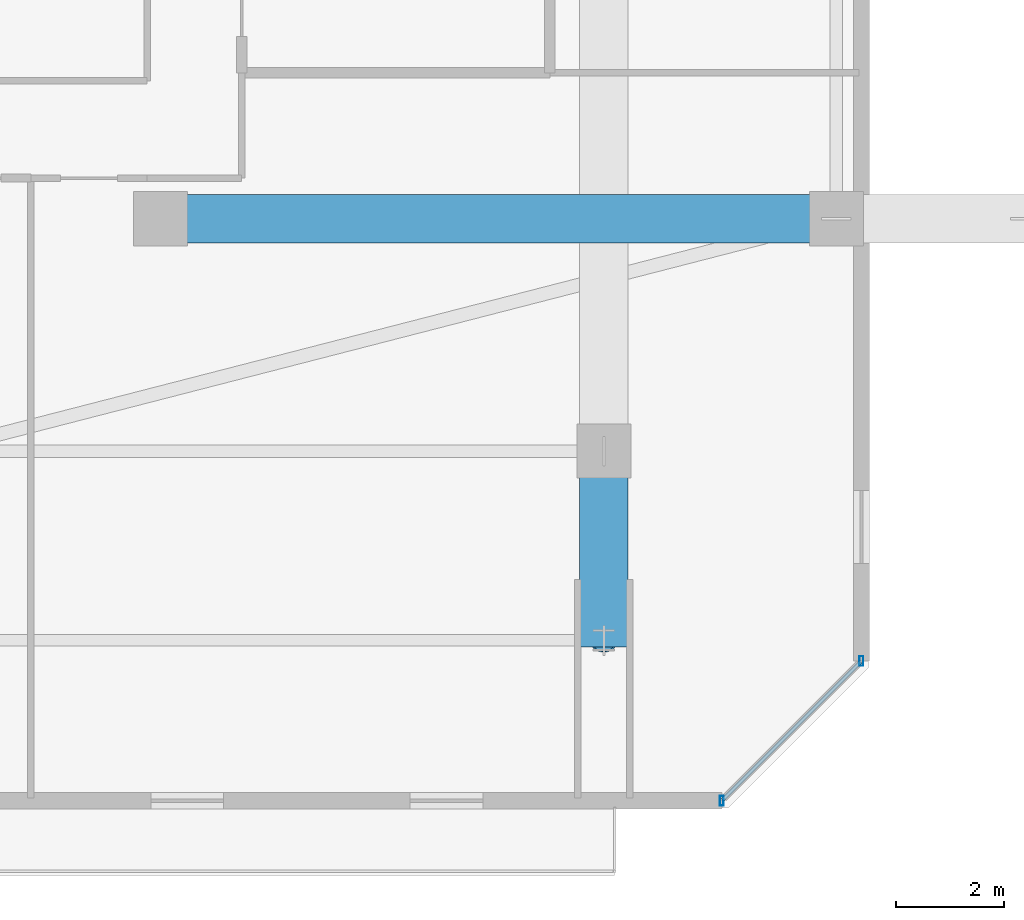
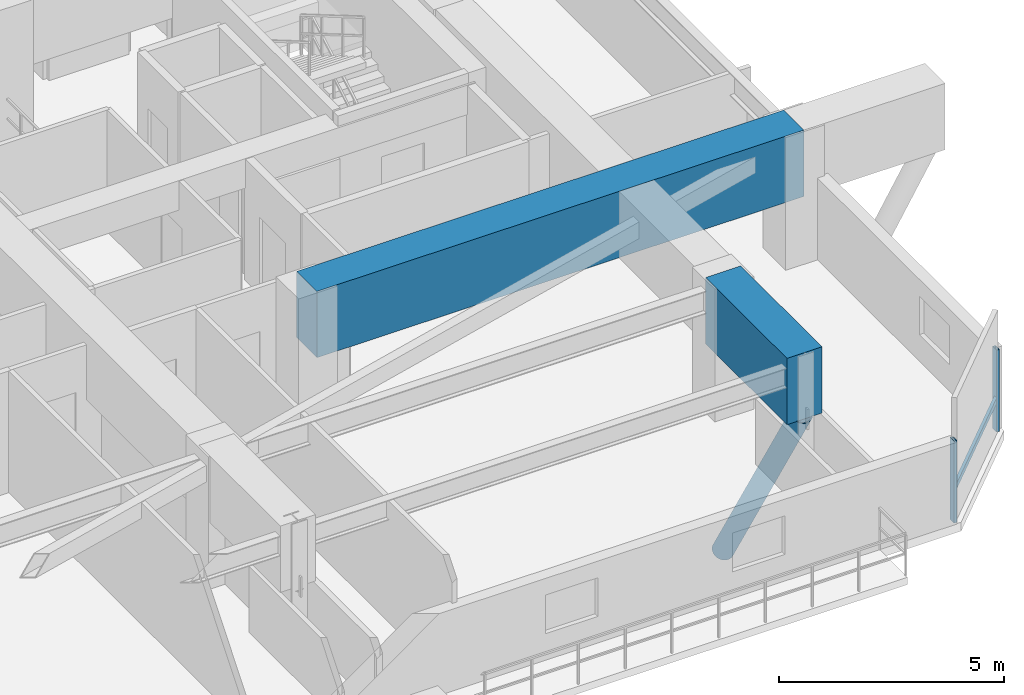
# One storey, part 13 of 35: 4 members, 2 beams, 1 element without a shape of its own.
"""IFC4 building model written with IfcOpenShell, lengths in metres."""

from ifc_helpers import new_model, si_unit, direction, frame, origin, origin_2d, place, context, subcontext, project, spatial, rectangle, hollow_rectangle, hollow_circle, extrude, material, material_profile, profile_set, type_object, element, aggregate, save


model = new_model("IFC4")

# Units and contexts
model_context = context("Model", 3, precision=1e-05, world=origin(), true_north=direction((0.0, 1.0)))
body_context = subcontext(model_context, "Body", "Model", "MODEL_VIEW")
ifc_project = project(units=[si_unit("LENGTHUNIT", "METRE"), si_unit("AREAUNIT", "SQUARE_METRE"), si_unit("VOLUMEUNIT", "CUBIC_METRE"), si_unit("PLANEANGLEUNIT", "RADIAN"), si_unit("MASSUNIT", "GRAM", prefix="KILO")], contexts=[model_context])

# Site, building, storey
site_placement = place(None, origin())
site = spatial("IfcSite", under=ifc_project, at=site_placement, CompositionType="ELEMENT")
building_placement = place(site_placement, origin())
building = spatial("IfcBuilding", under=site, at=building_placement, Name="Thornwick Lancets Civic Towers", CompositionType="ELEMENT")
storey_placement = place(building_placement, frame((0.0, 0.0, 225.89990234375)))
storey = spatial("IfcBuildingStorey", under=building, at=storey_placement, Name="L60", CompositionType="ELEMENT", Elevation=225.89990234375)

# Beams
ifc_material_1 = material(Name="Concrete C60/75", Category="concrete")
ifc_material_profile_1 = material_profile(ifc_material_1, rectangle(XDim=0.89990234375, YDim=1.800048828125, at=origin_2d()), Name="RC 900x1800")
ifc_profile_set_1 = profile_set([ifc_material_profile_1], Name="Concrete C60/75")
beam_type = type_object("IfcBeamType", Name="BM_TR_RC1800", PredefinedType="BEAM", material=ifc_profile_set_1)
beam_1_placement = place(storey_placement, frame((93.300048828125, 14.0, 2.7001953125), z_axis=(1.0, 0.0, 0.0), x_axis=(0.0, 1.0, 0.0)))
element("IfcBeam", 1, at=beam_1_placement, inside=storey, type_object=beam_type, Name="TG-BACK-L61-B01", PredefinedType="BEAM", context=body_context, shape_type="SweptSolid", body=[
    extrude(rectangle(XDim=0.89990234375, YDim=1.800048828125, at=origin_2d()), origin(), (0.0, 0.0, 1.0), 12.5),
])
beam_2_placement = place(storey_placement, frame((101.5, 9.699951171875, 2.7001953125), z_axis=(0.0, -1.0, 0.0), x_axis=(1.0, 0.0, 0.0)))
element("IfcBeam", 2, at=beam_2_placement, inside=storey, type_object=beam_type, Name="TG-CANT-L61-B10", PredefinedType="BEAM", context=body_context, shape_type="SweptSolid", body=[
    extrude(rectangle(XDim=0.89990234375, YDim=1.800048828125, at=origin_2d()), origin(), (0.0, 0.0, 1.0), 3.619873046875),
])

# Curtain wall, members
ifc_material_2 = material(Name="High-zone chamfered-corner unitised glass curtain wall", Category="glass")
curtain_wall_type = type_object("IfcCurtainWallType", Name="CW_SYS_05", PredefinedType="NOTDEFINED", material=ifc_material_2)
curtain_wall_placement = place(storey_placement, origin())
curtain_wall = element("IfcCurtainWall", 3, at=curtain_wall_placement, inside=storey, type_object=curtain_wall_type, Name="L60 Curtain Wall CW-L60-B-E1", PredefinedType="NOTDEFINED")
ifc_material_3 = material(Name="Thermally broken bronze aluminium S355", Category="steel")
ifc_material_profile_2 = material_profile(ifc_material_3, hollow_rectangle(XDim=0.074951171875, YDim=0.179931640625, WallThickness=0.006103515625, at=origin_2d()), Name="RHS 180x75x6")
ifc_profile_set_2 = profile_set([ifc_material_profile_2], Name="Thermally broken bronze aluminium S355")
member_type_1 = type_object("IfcMemberType", Name="CW_MUL_180", PredefinedType="MULLION", material=ifc_profile_set_2)
member_1_placement = place(storey_placement, frame((103.681396484375, 3.2353515625, 0.0), z_axis=(0.0, 0.0, 1.0), x_axis=(1.0, 0.0, 0.0)))
member_1 = element("IfcMember", 4, at=member_1_placement, type_object=member_type_1, Name="CW-L60-B-E1 Mullion 0", PredefinedType="MULLION", context=body_context, shape_type="SweptSolid", body=[
    extrude(hollow_rectangle(XDim=0.074951171875, YDim=0.179931640625, WallThickness=0.006103515625, at=origin_2d()), origin(), (0.0, 0.0, 1.0), 2.22021484375),
])
member_2_placement = place(storey_placement, frame((106.2646484375, 5.818603515625, 0.0), z_axis=(0.0, 0.0, 1.0), x_axis=(1.0, 0.0, 0.0)))
member_2 = element("IfcMember", 5, at=member_2_placement, type_object=member_type_1, Name="CW-L60-B-E1 Mullion 1", PredefinedType="MULLION", context=body_context, shape_type="SweptSolid", body=[
    extrude(hollow_rectangle(XDim=0.074951171875, YDim=0.179931640625, WallThickness=0.006103515625, at=origin_2d()), origin(), (0.0, 0.0, 1.0), 2.22021484375),
])
ifc_material_profile_3 = material_profile(ifc_material_3, hollow_rectangle(XDim=0.074951171875, YDim=0.14990234375, WallThickness=0.0048828125, at=origin_2d()), Name="RHS 150x75x5")
ifc_profile_set_3 = profile_set([ifc_material_profile_3], Name="Thermally broken bronze aluminium S355")
member_type_2 = type_object("IfcMemberType", Name="CW_TRN_150", PredefinedType="USERDEFINED", material=ifc_profile_set_3)
member_3_placement = place(storey_placement, frame((103.695556640625, 3.24951171875, 0.85009765625), z_axis=(0.707106781187, 0.707106781187, 0.0), x_axis=(-0.707106781187, 0.707106781187, 0.0)))
member_3 = element("IfcMember", 6, at=member_3_placement, type_object=member_type_2, Name="CW-L60-B-E1 Transom 0", ObjectType="TRANSOM", PredefinedType="USERDEFINED", context=body_context, shape_type="SweptSolid", body=[
    extrude(hollow_rectangle(XDim=0.074951171875, YDim=0.14990234375, WallThickness=0.0048828125, at=origin_2d()), origin(), (0.0, 0.0, 1.0), 3.61328125),
])
aggregate(curtain_wall, [member_1, member_2, member_3])

# Member
ifc_material_4 = material(Name="Steel S460M", Category="steel")
ifc_material_profile_4 = material_profile(ifc_material_4, hollow_circle(Radius=0.25390625, WallThickness=0.02490234375, at=origin_2d()), Name="CHS 508x25")
ifc_profile_set_4 = profile_set([ifc_material_profile_4], Name="Steel S460M")
member_type_3 = type_object("IfcMemberType", Name="MEM_STRUT_CHS508", PredefinedType="STRUT", material=ifc_profile_set_4)
member_4_placement = place(storey_placement, frame((101.5, 9.699951171875, -3.949951171875), z_axis=(0.0, -0.514706934567, 0.857366182858), x_axis=(1.0, 0.0, 0.0)))
element("IfcMember", 7, at=member_4_placement, inside=storey, type_object=member_type_3, Name="L61 Jenga Transfer Raking Strut B10", PredefinedType="STRUT", context=body_context, shape_type="SweptSolid", body=[
    extrude(hollow_circle(Radius=0.25390625, WallThickness=0.02490234375, at=origin_2d()), origin(), (0.0, 0.0, 1.0), 6.800048828125),
])

save(model, "model.ifc")
